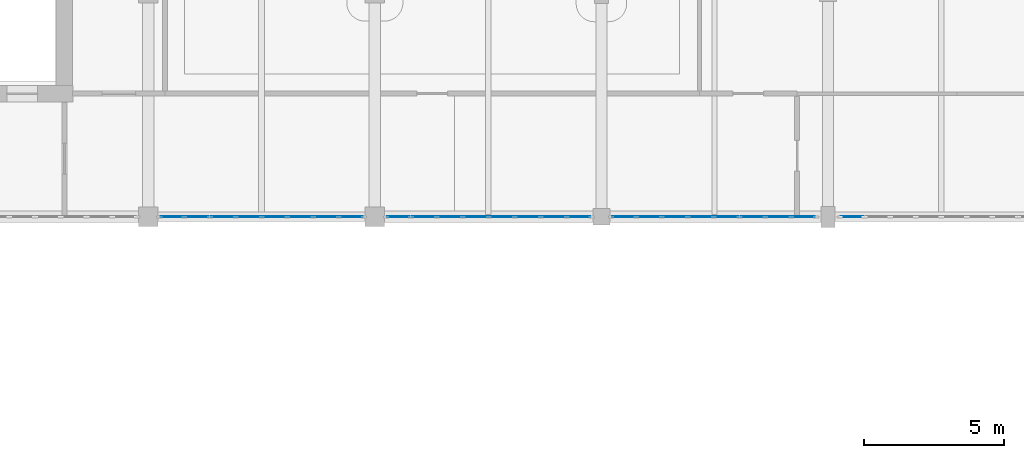
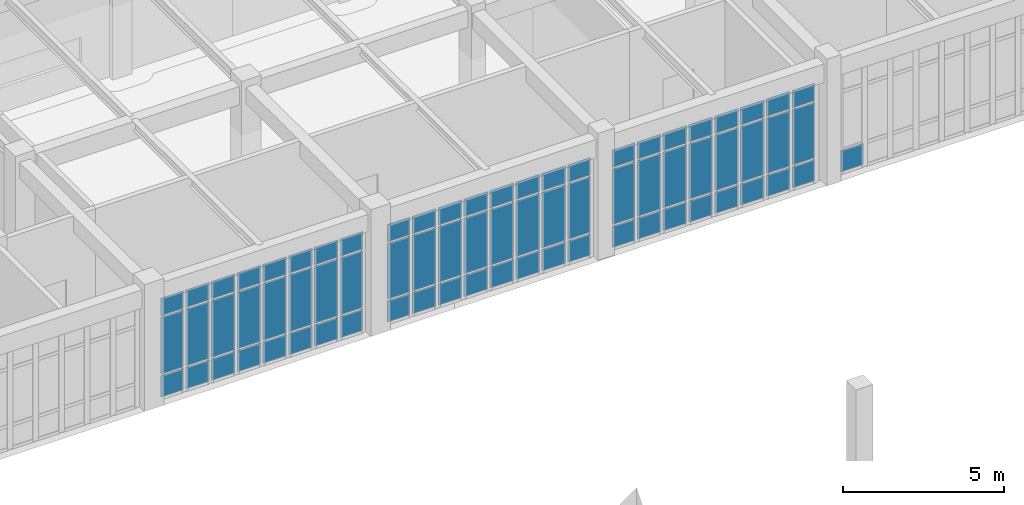
# One storey, part 38 of 61: 73 plates, 4 elements without a shape of their own.
"""IFC4 building model written with IfcOpenShell, lengths in metres."""

from ifc_helpers import new_model, si_unit, direction, frame, origin, origin_2d, place, context, subcontext, project, spatial, rectangle, extrude, material, layer, layer_set, type_object, element, aggregate, save


model = new_model("IFC4")

# Units and contexts
model_context = context("Model", 3, precision=1e-05, world=origin(), true_north=direction((0.0, 1.0)))
body_context = subcontext(model_context, "Body", "Model", "MODEL_VIEW")
ifc_project = project(units=[si_unit("LENGTHUNIT", "METRE"), si_unit("AREAUNIT", "SQUARE_METRE"), si_unit("VOLUMEUNIT", "CUBIC_METRE"), si_unit("PLANEANGLEUNIT", "RADIAN"), si_unit("MASSUNIT", "GRAM", prefix="KILO")], contexts=[model_context])

# Site, building, storey
site_placement = place(None, origin())
site = spatial("IfcSite", under=ifc_project, at=site_placement, CompositionType="ELEMENT")
building_placement = place(site_placement, origin())
building = spatial("IfcBuilding", under=site, at=building_placement, Name="Tarnveldt Square Police Headquarters", CompositionType="ELEMENT")
storey_placement = place(building_placement, frame((0.0, 0.0, 5.39990234375)))
storey = spatial("IfcBuildingStorey", under=building, at=storey_placement, Name="L01", CompositionType="ELEMENT", Elevation=5.39990234375)

# Curtain wall, plates
ifc_material = material(Name="Triple-glazed low-e laminated vision glass", Category="glass")
curtain_wall_type_1 = type_object("IfcCurtainWallType", Name="CW-LB-737x386", PredefinedType="USERDEFINED", material=ifc_material)
curtain_wall_1_placement = place(storey_placement, origin())
curtain_wall_1 = element("IfcCurtainWall", 1, at=curtain_wall_1_placement, inside=storey, type_object=curtain_wall_type_1, Name="L01 Curtain Wall CW-L01-107", ObjectType="GLAZED CURTAIN WALL", PredefinedType="USERDEFINED")
ifc_layer = layer(ifc_material, 0.028076171875)
ifc_layer_set = layer_set([ifc_layer], Name="Triple-glazed low-e laminated vision glass")
plate_type = type_object("IfcPlateType", Name="CWP-VIS-28", PredefinedType="CURTAIN_PANEL", material=ifc_layer_set)
plate_1_placement = place(storey_placement, frame((65.644287109375, 96.0, 0.06494140625), z_axis=(0.0, 0.0, 1.0), x_axis=(1.0, 0.0, 0.0)))
plate_1 = element("IfcPlate", 2, at=plate_1_placement, type_object=plate_type, Name="CW-LB61 panel 1.1", PredefinedType="CURTAIN_PANEL", context=body_context, shape_type="SweptSolid", body=[
    extrude(rectangle(XDim=0.808837890625, YDim=0.028076171875, at=origin_2d()), origin(), (0.0, 0.0, 1.0), 0.802490234375),
])
plate_2_placement = place(storey_placement, frame((65.644287109375, 96.0, 0.9326171875), z_axis=(0.0, 0.0, 1.0), x_axis=(1.0, 0.0, 0.0)))
plate_2 = element("IfcPlate", 3, at=plate_2_placement, type_object=plate_type, Name="CW-LB61 panel 1.2", PredefinedType="CURTAIN_PANEL", context=body_context, shape_type="SweptSolid", body=[
    extrude(rectangle(XDim=0.808837890625, YDim=0.028076171875, at=origin_2d()), origin(), (0.0, 0.0, 1.0), 2.14697265625),
])
plate_3_placement = place(storey_placement, frame((65.644287109375, 96.0, 3.14453125), z_axis=(0.0, 0.0, 1.0), x_axis=(1.0, 0.0, 0.0)))
plate_3 = element("IfcPlate", 4, at=plate_3_placement, type_object=plate_type, Name="CW-LB61 panel 1.3", PredefinedType="CURTAIN_PANEL", context=body_context, shape_type="SweptSolid", body=[
    extrude(rectangle(XDim=0.808837890625, YDim=0.028076171875, at=origin_2d()), origin(), (0.0, 0.0, 1.0), 0.652587890625),
])
plate_4_placement = place(storey_placement, frame((66.546875, 96.0, 0.06494140625), z_axis=(0.0, 0.0, 1.0), x_axis=(1.0, 0.0, 0.0)))
plate_4 = element("IfcPlate", 5, at=plate_4_placement, type_object=plate_type, Name="CW-LB61 panel 2.1", PredefinedType="CURTAIN_PANEL", context=body_context, shape_type="SweptSolid", body=[
    extrude(rectangle(XDim=0.84619140625, YDim=0.028076171875, at=origin_2d()), origin(), (0.0, 0.0, 1.0), 0.802490234375),
])
plate_5_placement = place(storey_placement, frame((66.546875, 96.0, 0.9326171875), z_axis=(0.0, 0.0, 1.0), x_axis=(1.0, 0.0, 0.0)))
plate_5 = element("IfcPlate", 6, at=plate_5_placement, type_object=plate_type, Name="CW-LB61 panel 2.2", PredefinedType="CURTAIN_PANEL", context=body_context, shape_type="SweptSolid", body=[
    extrude(rectangle(XDim=0.84619140625, YDim=0.028076171875, at=origin_2d()), origin(), (0.0, 0.0, 1.0), 2.14697265625),
])
plate_6_placement = place(storey_placement, frame((66.546875, 96.0, 3.14453125), z_axis=(0.0, 0.0, 1.0), x_axis=(1.0, 0.0, 0.0)))
plate_6 = element("IfcPlate", 7, at=plate_6_placement, type_object=plate_type, Name="CW-LB61 panel 2.3", PredefinedType="CURTAIN_PANEL", context=body_context, shape_type="SweptSolid", body=[
    extrude(rectangle(XDim=0.84619140625, YDim=0.028076171875, at=origin_2d()), origin(), (0.0, 0.0, 1.0), 0.652587890625),
])
plate_7_placement = place(storey_placement, frame((67.468017578125, 96.0, 0.06494140625), z_axis=(0.0, 0.0, 1.0), x_axis=(1.0, 0.0, 0.0)))
plate_7 = element("IfcPlate", 8, at=plate_7_placement, type_object=plate_type, Name="CW-LB61 panel 3.1", PredefinedType="CURTAIN_PANEL", context=body_context, shape_type="SweptSolid", body=[
    extrude(rectangle(XDim=0.84619140625, YDim=0.028076171875, at=origin_2d()), origin(), (0.0, 0.0, 1.0), 0.802490234375),
])
plate_8_placement = place(storey_placement, frame((67.468017578125, 96.0, 0.9326171875), z_axis=(0.0, 0.0, 1.0), x_axis=(1.0, 0.0, 0.0)))
plate_8 = element("IfcPlate", 9, at=plate_8_placement, type_object=plate_type, Name="CW-LB61 panel 3.2", PredefinedType="CURTAIN_PANEL", context=body_context, shape_type="SweptSolid", body=[
    extrude(rectangle(XDim=0.84619140625, YDim=0.028076171875, at=origin_2d()), origin(), (0.0, 0.0, 1.0), 2.14697265625),
])
plate_9_placement = place(storey_placement, frame((67.468017578125, 96.0, 3.14453125), z_axis=(0.0, 0.0, 1.0), x_axis=(1.0, 0.0, 0.0)))
plate_9 = element("IfcPlate", 10, at=plate_9_placement, type_object=plate_type, Name="CW-LB61 panel 3.3", PredefinedType="CURTAIN_PANEL", context=body_context, shape_type="SweptSolid", body=[
    extrude(rectangle(XDim=0.84619140625, YDim=0.028076171875, at=origin_2d()), origin(), (0.0, 0.0, 1.0), 0.652587890625),
])
plate_10_placement = place(storey_placement, frame((68.389404296875, 96.0, 0.06494140625), z_axis=(0.0, 0.0, 1.0), x_axis=(1.0, 0.0, 0.0)))
plate_10 = element("IfcPlate", 11, at=plate_10_placement, type_object=plate_type, Name="CW-LB61 panel 4.1", PredefinedType="CURTAIN_PANEL", context=body_context, shape_type="SweptSolid", body=[
    extrude(rectangle(XDim=0.84619140625, YDim=0.028076171875, at=origin_2d()), origin(), (0.0, 0.0, 1.0), 0.802490234375),
])
plate_11_placement = place(storey_placement, frame((68.389404296875, 96.0, 0.9326171875), z_axis=(0.0, 0.0, 1.0), x_axis=(1.0, 0.0, 0.0)))
plate_11 = element("IfcPlate", 12, at=plate_11_placement, type_object=plate_type, Name="CW-LB61 panel 4.2", PredefinedType="CURTAIN_PANEL", context=body_context, shape_type="SweptSolid", body=[
    extrude(rectangle(XDim=0.84619140625, YDim=0.028076171875, at=origin_2d()), origin(), (0.0, 0.0, 1.0), 2.14697265625),
])
plate_12_placement = place(storey_placement, frame((68.389404296875, 96.0, 3.14453125), z_axis=(0.0, 0.0, 1.0), x_axis=(1.0, 0.0, 0.0)))
plate_12 = element("IfcPlate", 13, at=plate_12_placement, type_object=plate_type, Name="CW-LB61 panel 4.3", PredefinedType="CURTAIN_PANEL", context=body_context, shape_type="SweptSolid", body=[
    extrude(rectangle(XDim=0.84619140625, YDim=0.028076171875, at=origin_2d()), origin(), (0.0, 0.0, 1.0), 0.652587890625),
])
plate_13_placement = place(storey_placement, frame((69.310546875, 96.0, 0.06494140625), z_axis=(0.0, 0.0, 1.0), x_axis=(1.0, 0.0, 0.0)))
plate_13 = element("IfcPlate", 14, at=plate_13_placement, type_object=plate_type, Name="CW-LB61 panel 5.1", PredefinedType="CURTAIN_PANEL", context=body_context, shape_type="SweptSolid", body=[
    extrude(rectangle(XDim=0.84619140625, YDim=0.028076171875, at=origin_2d()), origin(), (0.0, 0.0, 1.0), 0.802490234375),
])
plate_14_placement = place(storey_placement, frame((69.310546875, 96.0, 0.9326171875), z_axis=(0.0, 0.0, 1.0), x_axis=(1.0, 0.0, 0.0)))
plate_14 = element("IfcPlate", 15, at=plate_14_placement, type_object=plate_type, Name="CW-LB61 panel 5.2", PredefinedType="CURTAIN_PANEL", context=body_context, shape_type="SweptSolid", body=[
    extrude(rectangle(XDim=0.84619140625, YDim=0.028076171875, at=origin_2d()), origin(), (0.0, 0.0, 1.0), 2.14697265625),
])
plate_15_placement = place(storey_placement, frame((69.310546875, 96.0, 3.14453125), z_axis=(0.0, 0.0, 1.0), x_axis=(1.0, 0.0, 0.0)))
plate_15 = element("IfcPlate", 16, at=plate_15_placement, type_object=plate_type, Name="CW-LB61 panel 5.3", PredefinedType="CURTAIN_PANEL", context=body_context, shape_type="SweptSolid", body=[
    extrude(rectangle(XDim=0.84619140625, YDim=0.028076171875, at=origin_2d()), origin(), (0.0, 0.0, 1.0), 0.652587890625),
])
plate_16_placement = place(storey_placement, frame((70.23193359375, 96.0, 0.06494140625), z_axis=(0.0, 0.0, 1.0), x_axis=(1.0, 0.0, 0.0)))
plate_16 = element("IfcPlate", 17, at=plate_16_placement, type_object=plate_type, Name="CW-LB61 panel 6.1", PredefinedType="CURTAIN_PANEL", context=body_context, shape_type="SweptSolid", body=[
    extrude(rectangle(XDim=0.84619140625, YDim=0.028076171875, at=origin_2d()), origin(), (0.0, 0.0, 1.0), 0.802490234375),
])
plate_17_placement = place(storey_placement, frame((70.23193359375, 96.0, 0.9326171875), z_axis=(0.0, 0.0, 1.0), x_axis=(1.0, 0.0, 0.0)))
plate_17 = element("IfcPlate", 18, at=plate_17_placement, type_object=plate_type, Name="CW-LB61 panel 6.2", PredefinedType="CURTAIN_PANEL", context=body_context, shape_type="SweptSolid", body=[
    extrude(rectangle(XDim=0.84619140625, YDim=0.028076171875, at=origin_2d()), origin(), (0.0, 0.0, 1.0), 2.14697265625),
])
plate_18_placement = place(storey_placement, frame((70.23193359375, 96.0, 3.14453125), z_axis=(0.0, 0.0, 1.0), x_axis=(1.0, 0.0, 0.0)))
plate_18 = element("IfcPlate", 19, at=plate_18_placement, type_object=plate_type, Name="CW-LB61 panel 6.3", PredefinedType="CURTAIN_PANEL", context=body_context, shape_type="SweptSolid", body=[
    extrude(rectangle(XDim=0.84619140625, YDim=0.028076171875, at=origin_2d()), origin(), (0.0, 0.0, 1.0), 0.652587890625),
])
plate_19_placement = place(storey_placement, frame((71.153076171875, 96.0, 0.06494140625), z_axis=(0.0, 0.0, 1.0), x_axis=(1.0, 0.0, 0.0)))
plate_19 = element("IfcPlate", 20, at=plate_19_placement, type_object=plate_type, Name="CW-LB61 panel 7.1", PredefinedType="CURTAIN_PANEL", context=body_context, shape_type="SweptSolid", body=[
    extrude(rectangle(XDim=0.84619140625, YDim=0.028076171875, at=origin_2d()), origin(), (0.0, 0.0, 1.0), 0.802490234375),
])
plate_20_placement = place(storey_placement, frame((71.153076171875, 96.0, 0.9326171875), z_axis=(0.0, 0.0, 1.0), x_axis=(1.0, 0.0, 0.0)))
plate_20 = element("IfcPlate", 21, at=plate_20_placement, type_object=plate_type, Name="CW-LB61 panel 7.2", PredefinedType="CURTAIN_PANEL", context=body_context, shape_type="SweptSolid", body=[
    extrude(rectangle(XDim=0.84619140625, YDim=0.028076171875, at=origin_2d()), origin(), (0.0, 0.0, 1.0), 2.14697265625),
])
plate_21_placement = place(storey_placement, frame((71.153076171875, 96.0, 3.14453125), z_axis=(0.0, 0.0, 1.0), x_axis=(1.0, 0.0, 0.0)))
plate_21 = element("IfcPlate", 22, at=plate_21_placement, type_object=plate_type, Name="CW-LB61 panel 7.3", PredefinedType="CURTAIN_PANEL", context=body_context, shape_type="SweptSolid", body=[
    extrude(rectangle(XDim=0.84619140625, YDim=0.028076171875, at=origin_2d()), origin(), (0.0, 0.0, 1.0), 0.652587890625),
])
plate_22_placement = place(storey_placement, frame((72.0556640625, 96.0, 0.06494140625), z_axis=(0.0, 0.0, 1.0), x_axis=(1.0, 0.0, 0.0)))
plate_22 = element("IfcPlate", 23, at=plate_22_placement, type_object=plate_type, Name="CW-LB61 panel 8.1", PredefinedType="CURTAIN_PANEL", context=body_context, shape_type="SweptSolid", body=[
    extrude(rectangle(XDim=0.808837890625, YDim=0.028076171875, at=origin_2d()), origin(), (0.0, 0.0, 1.0), 0.802490234375),
])
plate_23_placement = place(storey_placement, frame((72.0556640625, 96.0, 0.9326171875), z_axis=(0.0, 0.0, 1.0), x_axis=(1.0, 0.0, 0.0)))
plate_23 = element("IfcPlate", 24, at=plate_23_placement, type_object=plate_type, Name="CW-LB61 panel 8.2", PredefinedType="CURTAIN_PANEL", context=body_context, shape_type="SweptSolid", body=[
    extrude(rectangle(XDim=0.808837890625, YDim=0.028076171875, at=origin_2d()), origin(), (0.0, 0.0, 1.0), 2.14697265625),
])
plate_24_placement = place(storey_placement, frame((72.0556640625, 96.0, 3.14453125), z_axis=(0.0, 0.0, 1.0), x_axis=(1.0, 0.0, 0.0)))
plate_24 = element("IfcPlate", 25, at=plate_24_placement, type_object=plate_type, Name="CW-LB61 panel 8.3", PredefinedType="CURTAIN_PANEL", context=body_context, shape_type="SweptSolid", body=[
    extrude(rectangle(XDim=0.808837890625, YDim=0.028076171875, at=origin_2d()), origin(), (0.0, 0.0, 1.0), 0.652587890625),
])
aggregate(curtain_wall_1, [plate_1, plate_2, plate_3, plate_4, plate_5, plate_6, plate_7, plate_8, plate_9, plate_10, plate_11, plate_12, plate_13, plate_14, plate_15, plate_16, plate_17, plate_18, plate_19, plate_20, plate_21, plate_22, plate_23, plate_24])

curtain_wall_type_2 = type_object("IfcCurtainWallType", Name="CW-LB-742x381", PredefinedType="USERDEFINED", material=ifc_material)
curtain_wall_2_placement = place(storey_placement, origin())
curtain_wall_2 = element("IfcCurtainWall", 26, at=curtain_wall_2_placement, inside=storey, type_object=curtain_wall_type_2, Name="L01 Curtain Wall CW-L01-108", ObjectType="GLAZED CURTAIN WALL", PredefinedType="USERDEFINED")
plate_25_placement = place(storey_placement, frame((73.74755859375, 96.0, 0.06494140625), z_axis=(0.0, 0.0, 1.0), x_axis=(1.0, 0.0, 0.0)))
plate_25 = element("IfcPlate", 27, at=plate_25_placement, type_object=plate_type, Name="CW-LB62 panel 1.1", PredefinedType="CURTAIN_PANEL", context=body_context, shape_type="SweptSolid", body=[
    extrude(rectangle(XDim=0.81494140625, YDim=0.028076171875, at=origin_2d()), origin(), (0.0, 0.0, 1.0), 0.802490234375),
])
plate_26_placement = place(storey_placement, frame((73.74755859375, 96.0, 0.9326171875), z_axis=(0.0, 0.0, 1.0), x_axis=(1.0, 0.0, 0.0)))
plate_26 = element("IfcPlate", 28, at=plate_26_placement, type_object=plate_type, Name="CW-LB62 panel 1.2", PredefinedType="CURTAIN_PANEL", context=body_context, shape_type="SweptSolid", body=[
    extrude(rectangle(XDim=0.81494140625, YDim=0.028076171875, at=origin_2d()), origin(), (0.0, 0.0, 1.0), 2.096923828125),
])
plate_27_placement = place(storey_placement, frame((73.74755859375, 96.0, 3.0947265625), z_axis=(0.0, 0.0, 1.0), x_axis=(1.0, 0.0, 0.0)))
plate_27 = element("IfcPlate", 29, at=plate_27_placement, type_object=plate_type, Name="CW-LB62 panel 1.3", PredefinedType="CURTAIN_PANEL", context=body_context, shape_type="SweptSolid", body=[
    extrude(rectangle(XDim=0.81494140625, YDim=0.028076171875, at=origin_2d()), origin(), (0.0, 0.0, 1.0), 0.652587890625),
])
plate_28_placement = place(storey_placement, frame((74.65625, 96.0, 0.06494140625), z_axis=(0.0, 0.0, 1.0), x_axis=(1.0, 0.0, 0.0)))
plate_28 = element("IfcPlate", 30, at=plate_28_placement, type_object=plate_type, Name="CW-LB62 panel 2.1", PredefinedType="CURTAIN_PANEL", context=body_context, shape_type="SweptSolid", body=[
    extrude(rectangle(XDim=0.8525390625, YDim=0.028076171875, at=origin_2d()), origin(), (0.0, 0.0, 1.0), 0.802490234375),
])
plate_29_placement = place(storey_placement, frame((74.65625, 96.0, 0.9326171875), z_axis=(0.0, 0.0, 1.0), x_axis=(1.0, 0.0, 0.0)))
plate_29 = element("IfcPlate", 31, at=plate_29_placement, type_object=plate_type, Name="CW-LB62 panel 2.2", PredefinedType="CURTAIN_PANEL", context=body_context, shape_type="SweptSolid", body=[
    extrude(rectangle(XDim=0.8525390625, YDim=0.028076171875, at=origin_2d()), origin(), (0.0, 0.0, 1.0), 2.096923828125),
])
plate_30_placement = place(storey_placement, frame((74.65625, 96.0, 3.0947265625), z_axis=(0.0, 0.0, 1.0), x_axis=(1.0, 0.0, 0.0)))
plate_30 = element("IfcPlate", 32, at=plate_30_placement, type_object=plate_type, Name="CW-LB62 panel 2.3", PredefinedType="CURTAIN_PANEL", context=body_context, shape_type="SweptSolid", body=[
    extrude(rectangle(XDim=0.8525390625, YDim=0.028076171875, at=origin_2d()), origin(), (0.0, 0.0, 1.0), 0.652587890625),
])
plate_31_placement = place(storey_placement, frame((75.583740234375, 96.0, 0.06494140625), z_axis=(0.0, 0.0, 1.0), x_axis=(1.0, 0.0, 0.0)))
plate_31 = element("IfcPlate", 33, at=plate_31_placement, type_object=plate_type, Name="CW-LB62 panel 3.1", PredefinedType="CURTAIN_PANEL", context=body_context, shape_type="SweptSolid", body=[
    extrude(rectangle(XDim=0.8525390625, YDim=0.028076171875, at=origin_2d()), origin(), (0.0, 0.0, 1.0), 0.802490234375),
])
plate_32_placement = place(storey_placement, frame((75.583740234375, 96.0, 0.9326171875), z_axis=(0.0, 0.0, 1.0), x_axis=(1.0, 0.0, 0.0)))
plate_32 = element("IfcPlate", 34, at=plate_32_placement, type_object=plate_type, Name="CW-LB62 panel 3.2", PredefinedType="CURTAIN_PANEL", context=body_context, shape_type="SweptSolid", body=[
    extrude(rectangle(XDim=0.8525390625, YDim=0.028076171875, at=origin_2d()), origin(), (0.0, 0.0, 1.0), 2.096923828125),
])
plate_33_placement = place(storey_placement, frame((75.583740234375, 96.0, 3.0947265625), z_axis=(0.0, 0.0, 1.0), x_axis=(1.0, 0.0, 0.0)))
plate_33 = element("IfcPlate", 35, at=plate_33_placement, type_object=plate_type, Name="CW-LB62 panel 3.3", PredefinedType="CURTAIN_PANEL", context=body_context, shape_type="SweptSolid", body=[
    extrude(rectangle(XDim=0.8525390625, YDim=0.028076171875, at=origin_2d()), origin(), (0.0, 0.0, 1.0), 0.652587890625),
])
plate_34_placement = place(storey_placement, frame((76.51123046875, 96.0, 0.06494140625), z_axis=(0.0, 0.0, 1.0), x_axis=(1.0, 0.0, 0.0)))
plate_34 = element("IfcPlate", 36, at=plate_34_placement, type_object=plate_type, Name="CW-LB62 panel 4.1", PredefinedType="CURTAIN_PANEL", context=body_context, shape_type="SweptSolid", body=[
    extrude(rectangle(XDim=0.8525390625, YDim=0.028076171875, at=origin_2d()), origin(), (0.0, 0.0, 1.0), 0.802490234375),
])
plate_35_placement = place(storey_placement, frame((76.51123046875, 96.0, 0.9326171875), z_axis=(0.0, 0.0, 1.0), x_axis=(1.0, 0.0, 0.0)))
plate_35 = element("IfcPlate", 37, at=plate_35_placement, type_object=plate_type, Name="CW-LB62 panel 4.2", PredefinedType="CURTAIN_PANEL", context=body_context, shape_type="SweptSolid", body=[
    extrude(rectangle(XDim=0.8525390625, YDim=0.028076171875, at=origin_2d()), origin(), (0.0, 0.0, 1.0), 2.096923828125),
])
plate_36_placement = place(storey_placement, frame((76.51123046875, 96.0, 3.0947265625), z_axis=(0.0, 0.0, 1.0), x_axis=(1.0, 0.0, 0.0)))
plate_36 = element("IfcPlate", 38, at=plate_36_placement, type_object=plate_type, Name="CW-LB62 panel 4.3", PredefinedType="CURTAIN_PANEL", context=body_context, shape_type="SweptSolid", body=[
    extrude(rectangle(XDim=0.8525390625, YDim=0.028076171875, at=origin_2d()), origin(), (0.0, 0.0, 1.0), 0.652587890625),
])
plate_37_placement = place(storey_placement, frame((77.438720703125, 96.0, 0.06494140625), z_axis=(0.0, 0.0, 1.0), x_axis=(1.0, 0.0, 0.0)))
plate_37 = element("IfcPlate", 39, at=plate_37_placement, type_object=plate_type, Name="CW-LB62 panel 5.1", PredefinedType="CURTAIN_PANEL", context=body_context, shape_type="SweptSolid", body=[
    extrude(rectangle(XDim=0.8525390625, YDim=0.028076171875, at=origin_2d()), origin(), (0.0, 0.0, 1.0), 0.802490234375),
])
plate_38_placement = place(storey_placement, frame((77.438720703125, 96.0, 0.9326171875), z_axis=(0.0, 0.0, 1.0), x_axis=(1.0, 0.0, 0.0)))
plate_38 = element("IfcPlate", 40, at=plate_38_placement, type_object=plate_type, Name="CW-LB62 panel 5.2", PredefinedType="CURTAIN_PANEL", context=body_context, shape_type="SweptSolid", body=[
    extrude(rectangle(XDim=0.8525390625, YDim=0.028076171875, at=origin_2d()), origin(), (0.0, 0.0, 1.0), 2.096923828125),
])
plate_39_placement = place(storey_placement, frame((77.438720703125, 96.0, 3.0947265625), z_axis=(0.0, 0.0, 1.0), x_axis=(1.0, 0.0, 0.0)))
plate_39 = element("IfcPlate", 41, at=plate_39_placement, type_object=plate_type, Name="CW-LB62 panel 5.3", PredefinedType="CURTAIN_PANEL", context=body_context, shape_type="SweptSolid", body=[
    extrude(rectangle(XDim=0.8525390625, YDim=0.028076171875, at=origin_2d()), origin(), (0.0, 0.0, 1.0), 0.652587890625),
])
plate_40_placement = place(storey_placement, frame((78.3662109375, 96.0, 0.06494140625), z_axis=(0.0, 0.0, 1.0), x_axis=(1.0, 0.0, 0.0)))
plate_40 = element("IfcPlate", 42, at=plate_40_placement, type_object=plate_type, Name="CW-LB62 panel 6.1", PredefinedType="CURTAIN_PANEL", context=body_context, shape_type="SweptSolid", body=[
    extrude(rectangle(XDim=0.8525390625, YDim=0.028076171875, at=origin_2d()), origin(), (0.0, 0.0, 1.0), 0.802490234375),
])
plate_41_placement = place(storey_placement, frame((78.3662109375, 96.0, 0.9326171875), z_axis=(0.0, 0.0, 1.0), x_axis=(1.0, 0.0, 0.0)))
plate_41 = element("IfcPlate", 43, at=plate_41_placement, type_object=plate_type, Name="CW-LB62 panel 6.2", PredefinedType="CURTAIN_PANEL", context=body_context, shape_type="SweptSolid", body=[
    extrude(rectangle(XDim=0.8525390625, YDim=0.028076171875, at=origin_2d()), origin(), (0.0, 0.0, 1.0), 2.096923828125),
])
plate_42_placement = place(storey_placement, frame((78.3662109375, 96.0, 3.0947265625), z_axis=(0.0, 0.0, 1.0), x_axis=(1.0, 0.0, 0.0)))
plate_42 = element("IfcPlate", 44, at=plate_42_placement, type_object=plate_type, Name="CW-LB62 panel 6.3", PredefinedType="CURTAIN_PANEL", context=body_context, shape_type="SweptSolid", body=[
    extrude(rectangle(XDim=0.8525390625, YDim=0.028076171875, at=origin_2d()), origin(), (0.0, 0.0, 1.0), 0.652587890625),
])
plate_43_placement = place(storey_placement, frame((79.293701171875, 96.0, 0.06494140625), z_axis=(0.0, 0.0, 1.0), x_axis=(1.0, 0.0, 0.0)))
plate_43 = element("IfcPlate", 45, at=plate_43_placement, type_object=plate_type, Name="CW-LB62 panel 7.1", PredefinedType="CURTAIN_PANEL", context=body_context, shape_type="SweptSolid", body=[
    extrude(rectangle(XDim=0.8525390625, YDim=0.028076171875, at=origin_2d()), origin(), (0.0, 0.0, 1.0), 0.802490234375),
])
plate_44_placement = place(storey_placement, frame((79.293701171875, 96.0, 0.9326171875), z_axis=(0.0, 0.0, 1.0), x_axis=(1.0, 0.0, 0.0)))
plate_44 = element("IfcPlate", 46, at=plate_44_placement, type_object=plate_type, Name="CW-LB62 panel 7.2", PredefinedType="CURTAIN_PANEL", context=body_context, shape_type="SweptSolid", body=[
    extrude(rectangle(XDim=0.8525390625, YDim=0.028076171875, at=origin_2d()), origin(), (0.0, 0.0, 1.0), 2.096923828125),
])
plate_45_placement = place(storey_placement, frame((79.293701171875, 96.0, 3.0947265625), z_axis=(0.0, 0.0, 1.0), x_axis=(1.0, 0.0, 0.0)))
plate_45 = element("IfcPlate", 47, at=plate_45_placement, type_object=plate_type, Name="CW-LB62 panel 7.3", PredefinedType="CURTAIN_PANEL", context=body_context, shape_type="SweptSolid", body=[
    extrude(rectangle(XDim=0.8525390625, YDim=0.028076171875, at=origin_2d()), origin(), (0.0, 0.0, 1.0), 0.652587890625),
])
plate_46_placement = place(storey_placement, frame((80.202392578125, 96.0, 0.06494140625), z_axis=(0.0, 0.0, 1.0), x_axis=(1.0, 0.0, 0.0)))
plate_46 = element("IfcPlate", 48, at=plate_46_placement, type_object=plate_type, Name="CW-LB62 panel 8.1", PredefinedType="CURTAIN_PANEL", context=body_context, shape_type="SweptSolid", body=[
    extrude(rectangle(XDim=0.81494140625, YDim=0.028076171875, at=origin_2d()), origin(), (0.0, 0.0, 1.0), 0.802490234375),
])
plate_47_placement = place(storey_placement, frame((80.202392578125, 96.0, 0.9326171875), z_axis=(0.0, 0.0, 1.0), x_axis=(1.0, 0.0, 0.0)))
plate_47 = element("IfcPlate", 49, at=plate_47_placement, type_object=plate_type, Name="CW-LB62 panel 8.2", PredefinedType="CURTAIN_PANEL", context=body_context, shape_type="SweptSolid", body=[
    extrude(rectangle(XDim=0.81494140625, YDim=0.028076171875, at=origin_2d()), origin(), (0.0, 0.0, 1.0), 2.096923828125),
])
plate_48_placement = place(storey_placement, frame((80.202392578125, 96.0, 3.0947265625), z_axis=(0.0, 0.0, 1.0), x_axis=(1.0, 0.0, 0.0)))
plate_48 = element("IfcPlate", 50, at=plate_48_placement, type_object=plate_type, Name="CW-LB62 panel 8.3", PredefinedType="CURTAIN_PANEL", context=body_context, shape_type="SweptSolid", body=[
    extrude(rectangle(XDim=0.81494140625, YDim=0.028076171875, at=origin_2d()), origin(), (0.0, 0.0, 1.0), 0.652587890625),
])
aggregate(curtain_wall_2, [plate_25, plate_26, plate_27, plate_28, plate_29, plate_30, plate_31, plate_32, plate_33, plate_34, plate_35, plate_36, plate_37, plate_38, plate_39, plate_40, plate_41, plate_42, plate_43, plate_44, plate_45, plate_46, plate_47, plate_48])

curtain_wall_type_3 = type_object("IfcCurtainWallType", Name="CW-LB-739x381", PredefinedType="USERDEFINED", material=ifc_material)
curtain_wall_3_placement = place(storey_placement, origin())
curtain_wall_3 = element("IfcCurtainWall", 51, at=curtain_wall_3_placement, inside=storey, type_object=curtain_wall_type_3, Name="L01 Curtain Wall CW-L01-109", ObjectType="GLAZED CURTAIN WALL", PredefinedType="USERDEFINED")
plate_49_placement = place(storey_placement, frame((81.7958984375, 96.0, 0.06494140625), z_axis=(0.0, 0.0, 1.0), x_axis=(1.0, 0.0, 0.0)))
plate_49 = element("IfcPlate", 52, at=plate_49_placement, type_object=plate_type, Name="CW-LB63 panel 1.1", PredefinedType="CURTAIN_PANEL", context=body_context, shape_type="SweptSolid", body=[
    extrude(rectangle(XDim=0.811767578125, YDim=0.028076171875, at=origin_2d()), origin(), (0.0, 0.0, 1.0), 0.802490234375),
])
plate_50_placement = place(storey_placement, frame((81.7958984375, 96.0, 0.9326171875), z_axis=(0.0, 0.0, 1.0), x_axis=(1.0, 0.0, 0.0)))
plate_50 = element("IfcPlate", 53, at=plate_50_placement, type_object=plate_type, Name="CW-LB63 panel 1.2", PredefinedType="CURTAIN_PANEL", context=body_context, shape_type="SweptSolid", body=[
    extrude(rectangle(XDim=0.811767578125, YDim=0.028076171875, at=origin_2d()), origin(), (0.0, 0.0, 1.0), 2.096923828125),
])
plate_51_placement = place(storey_placement, frame((81.7958984375, 96.0, 3.0947265625), z_axis=(0.0, 0.0, 1.0), x_axis=(1.0, 0.0, 0.0)))
plate_51 = element("IfcPlate", 54, at=plate_51_placement, type_object=plate_type, Name="CW-LB63 panel 1.3", PredefinedType="CURTAIN_PANEL", context=body_context, shape_type="SweptSolid", body=[
    extrude(rectangle(XDim=0.811767578125, YDim=0.028076171875, at=origin_2d()), origin(), (0.0, 0.0, 1.0), 0.652587890625),
])
plate_52_placement = place(storey_placement, frame((82.70166015625, 96.0, 0.06494140625), z_axis=(0.0, 0.0, 1.0), x_axis=(1.0, 0.0, 0.0)))
plate_52 = element("IfcPlate", 55, at=plate_52_placement, type_object=plate_type, Name="CW-LB63 panel 2.1", PredefinedType="CURTAIN_PANEL", context=body_context, shape_type="SweptSolid", body=[
    extrude(rectangle(XDim=0.849365234375, YDim=0.028076171875, at=origin_2d()), origin(), (0.0, 0.0, 1.0), 0.802490234375),
])
plate_53_placement = place(storey_placement, frame((82.70166015625, 96.0, 0.9326171875), z_axis=(0.0, 0.0, 1.0), x_axis=(1.0, 0.0, 0.0)))
plate_53 = element("IfcPlate", 56, at=plate_53_placement, type_object=plate_type, Name="CW-LB63 panel 2.2", PredefinedType="CURTAIN_PANEL", context=body_context, shape_type="SweptSolid", body=[
    extrude(rectangle(XDim=0.849365234375, YDim=0.028076171875, at=origin_2d()), origin(), (0.0, 0.0, 1.0), 2.096923828125),
])
plate_54_placement = place(storey_placement, frame((82.70166015625, 96.0, 3.0947265625), z_axis=(0.0, 0.0, 1.0), x_axis=(1.0, 0.0, 0.0)))
plate_54 = element("IfcPlate", 57, at=plate_54_placement, type_object=plate_type, Name="CW-LB63 panel 2.3", PredefinedType="CURTAIN_PANEL", context=body_context, shape_type="SweptSolid", body=[
    extrude(rectangle(XDim=0.849365234375, YDim=0.028076171875, at=origin_2d()), origin(), (0.0, 0.0, 1.0), 0.652587890625),
])
plate_55_placement = place(storey_placement, frame((83.6259765625, 96.0, 0.06494140625), z_axis=(0.0, 0.0, 1.0), x_axis=(1.0, 0.0, 0.0)))
plate_55 = element("IfcPlate", 58, at=plate_55_placement, type_object=plate_type, Name="CW-LB63 panel 3.1", PredefinedType="CURTAIN_PANEL", context=body_context, shape_type="SweptSolid", body=[
    extrude(rectangle(XDim=0.849365234375, YDim=0.028076171875, at=origin_2d()), origin(), (0.0, 0.0, 1.0), 0.802490234375),
])
plate_56_placement = place(storey_placement, frame((83.6259765625, 96.0, 0.9326171875), z_axis=(0.0, 0.0, 1.0), x_axis=(1.0, 0.0, 0.0)))
plate_56 = element("IfcPlate", 59, at=plate_56_placement, type_object=plate_type, Name="CW-LB63 panel 3.2", PredefinedType="CURTAIN_PANEL", context=body_context, shape_type="SweptSolid", body=[
    extrude(rectangle(XDim=0.849365234375, YDim=0.028076171875, at=origin_2d()), origin(), (0.0, 0.0, 1.0), 2.096923828125),
])
plate_57_placement = place(storey_placement, frame((83.6259765625, 96.0, 3.0947265625), z_axis=(0.0, 0.0, 1.0), x_axis=(1.0, 0.0, 0.0)))
plate_57 = element("IfcPlate", 60, at=plate_57_placement, type_object=plate_type, Name="CW-LB63 panel 3.3", PredefinedType="CURTAIN_PANEL", context=body_context, shape_type="SweptSolid", body=[
    extrude(rectangle(XDim=0.849365234375, YDim=0.028076171875, at=origin_2d()), origin(), (0.0, 0.0, 1.0), 0.652587890625),
])
plate_58_placement = place(storey_placement, frame((84.55029296875, 96.0, 0.06494140625), z_axis=(0.0, 0.0, 1.0), x_axis=(1.0, 0.0, 0.0)))
plate_58 = element("IfcPlate", 61, at=plate_58_placement, type_object=plate_type, Name="CW-LB63 panel 4.1", PredefinedType="CURTAIN_PANEL", context=body_context, shape_type="SweptSolid", body=[
    extrude(rectangle(XDim=0.849365234375, YDim=0.028076171875, at=origin_2d()), origin(), (0.0, 0.0, 1.0), 0.802490234375),
])
plate_59_placement = place(storey_placement, frame((84.55029296875, 96.0, 0.9326171875), z_axis=(0.0, 0.0, 1.0), x_axis=(1.0, 0.0, 0.0)))
plate_59 = element("IfcPlate", 62, at=plate_59_placement, type_object=plate_type, Name="CW-LB63 panel 4.2", PredefinedType="CURTAIN_PANEL", context=body_context, shape_type="SweptSolid", body=[
    extrude(rectangle(XDim=0.849365234375, YDim=0.028076171875, at=origin_2d()), origin(), (0.0, 0.0, 1.0), 2.096923828125),
])
plate_60_placement = place(storey_placement, frame((84.55029296875, 96.0, 3.0947265625), z_axis=(0.0, 0.0, 1.0), x_axis=(1.0, 0.0, 0.0)))
plate_60 = element("IfcPlate", 63, at=plate_60_placement, type_object=plate_type, Name="CW-LB63 panel 4.3", PredefinedType="CURTAIN_PANEL", context=body_context, shape_type="SweptSolid", body=[
    extrude(rectangle(XDim=0.849365234375, YDim=0.028076171875, at=origin_2d()), origin(), (0.0, 0.0, 1.0), 0.652587890625),
])
plate_61_placement = place(storey_placement, frame((85.474609375, 96.0, 0.06494140625), z_axis=(0.0, 0.0, 1.0), x_axis=(1.0, 0.0, 0.0)))
plate_61 = element("IfcPlate", 64, at=plate_61_placement, type_object=plate_type, Name="CW-LB63 panel 5.1", PredefinedType="CURTAIN_PANEL", context=body_context, shape_type="SweptSolid", body=[
    extrude(rectangle(XDim=0.849365234375, YDim=0.028076171875, at=origin_2d()), origin(), (0.0, 0.0, 1.0), 0.802490234375),
])
plate_62_placement = place(storey_placement, frame((85.474609375, 96.0, 0.9326171875), z_axis=(0.0, 0.0, 1.0), x_axis=(1.0, 0.0, 0.0)))
plate_62 = element("IfcPlate", 65, at=plate_62_placement, type_object=plate_type, Name="CW-LB63 panel 5.2", PredefinedType="CURTAIN_PANEL", context=body_context, shape_type="SweptSolid", body=[
    extrude(rectangle(XDim=0.849365234375, YDim=0.028076171875, at=origin_2d()), origin(), (0.0, 0.0, 1.0), 2.096923828125),
])
plate_63_placement = place(storey_placement, frame((85.474609375, 96.0, 3.0947265625), z_axis=(0.0, 0.0, 1.0), x_axis=(1.0, 0.0, 0.0)))
plate_63 = element("IfcPlate", 66, at=plate_63_placement, type_object=plate_type, Name="CW-LB63 panel 5.3", PredefinedType="CURTAIN_PANEL", context=body_context, shape_type="SweptSolid", body=[
    extrude(rectangle(XDim=0.849365234375, YDim=0.028076171875, at=origin_2d()), origin(), (0.0, 0.0, 1.0), 0.652587890625),
])
plate_64_placement = place(storey_placement, frame((86.399169921875, 96.0, 0.06494140625), z_axis=(0.0, 0.0, 1.0), x_axis=(1.0, 0.0, 0.0)))
plate_64 = element("IfcPlate", 67, at=plate_64_placement, type_object=plate_type, Name="CW-LB63 panel 6.1", PredefinedType="CURTAIN_PANEL", context=body_context, shape_type="SweptSolid", body=[
    extrude(rectangle(XDim=0.849365234375, YDim=0.028076171875, at=origin_2d()), origin(), (0.0, 0.0, 1.0), 0.802490234375),
])
plate_65_placement = place(storey_placement, frame((86.399169921875, 96.0, 0.9326171875), z_axis=(0.0, 0.0, 1.0), x_axis=(1.0, 0.0, 0.0)))
plate_65 = element("IfcPlate", 68, at=plate_65_placement, type_object=plate_type, Name="CW-LB63 panel 6.2", PredefinedType="CURTAIN_PANEL", context=body_context, shape_type="SweptSolid", body=[
    extrude(rectangle(XDim=0.849365234375, YDim=0.028076171875, at=origin_2d()), origin(), (0.0, 0.0, 1.0), 2.096923828125),
])
plate_66_placement = place(storey_placement, frame((86.399169921875, 96.0, 3.0947265625), z_axis=(0.0, 0.0, 1.0), x_axis=(1.0, 0.0, 0.0)))
plate_66 = element("IfcPlate", 69, at=plate_66_placement, type_object=plate_type, Name="CW-LB63 panel 6.3", PredefinedType="CURTAIN_PANEL", context=body_context, shape_type="SweptSolid", body=[
    extrude(rectangle(XDim=0.849365234375, YDim=0.028076171875, at=origin_2d()), origin(), (0.0, 0.0, 1.0), 0.652587890625),
])
plate_67_placement = place(storey_placement, frame((87.323486328125, 96.0, 0.06494140625), z_axis=(0.0, 0.0, 1.0), x_axis=(1.0, 0.0, 0.0)))
plate_67 = element("IfcPlate", 70, at=plate_67_placement, type_object=plate_type, Name="CW-LB63 panel 7.1", PredefinedType="CURTAIN_PANEL", context=body_context, shape_type="SweptSolid", body=[
    extrude(rectangle(XDim=0.849365234375, YDim=0.028076171875, at=origin_2d()), origin(), (0.0, 0.0, 1.0), 0.802490234375),
])
plate_68_placement = place(storey_placement, frame((87.323486328125, 96.0, 0.9326171875), z_axis=(0.0, 0.0, 1.0), x_axis=(1.0, 0.0, 0.0)))
plate_68 = element("IfcPlate", 71, at=plate_68_placement, type_object=plate_type, Name="CW-LB63 panel 7.2", PredefinedType="CURTAIN_PANEL", context=body_context, shape_type="SweptSolid", body=[
    extrude(rectangle(XDim=0.849365234375, YDim=0.028076171875, at=origin_2d()), origin(), (0.0, 0.0, 1.0), 2.096923828125),
])
plate_69_placement = place(storey_placement, frame((87.323486328125, 96.0, 3.0947265625), z_axis=(0.0, 0.0, 1.0), x_axis=(1.0, 0.0, 0.0)))
plate_69 = element("IfcPlate", 72, at=plate_69_placement, type_object=plate_type, Name="CW-LB63 panel 7.3", PredefinedType="CURTAIN_PANEL", context=body_context, shape_type="SweptSolid", body=[
    extrude(rectangle(XDim=0.849365234375, YDim=0.028076171875, at=origin_2d()), origin(), (0.0, 0.0, 1.0), 0.652587890625),
])
plate_70_placement = place(storey_placement, frame((88.22900390625, 96.0, 0.06494140625), z_axis=(0.0, 0.0, 1.0), x_axis=(1.0, 0.0, 0.0)))
plate_70 = element("IfcPlate", 73, at=plate_70_placement, type_object=plate_type, Name="CW-LB63 panel 8.1", PredefinedType="CURTAIN_PANEL", context=body_context, shape_type="SweptSolid", body=[
    extrude(rectangle(XDim=0.811767578125, YDim=0.028076171875, at=origin_2d()), origin(), (0.0, 0.0, 1.0), 0.802490234375),
])
plate_71_placement = place(storey_placement, frame((88.22900390625, 96.0, 0.9326171875), z_axis=(0.0, 0.0, 1.0), x_axis=(1.0, 0.0, 0.0)))
plate_71 = element("IfcPlate", 74, at=plate_71_placement, type_object=plate_type, Name="CW-LB63 panel 8.2", PredefinedType="CURTAIN_PANEL", context=body_context, shape_type="SweptSolid", body=[
    extrude(rectangle(XDim=0.811767578125, YDim=0.028076171875, at=origin_2d()), origin(), (0.0, 0.0, 1.0), 2.096923828125),
])
plate_72_placement = place(storey_placement, frame((88.22900390625, 96.0, 3.0947265625), z_axis=(0.0, 0.0, 1.0), x_axis=(1.0, 0.0, 0.0)))
plate_72 = element("IfcPlate", 75, at=plate_72_placement, type_object=plate_type, Name="CW-LB63 panel 8.3", PredefinedType="CURTAIN_PANEL", context=body_context, shape_type="SweptSolid", body=[
    extrude(rectangle(XDim=0.811767578125, YDim=0.028076171875, at=origin_2d()), origin(), (0.0, 0.0, 1.0), 0.652587890625),
])
aggregate(curtain_wall_3, [plate_49, plate_50, plate_51, plate_52, plate_53, plate_54, plate_55, plate_56, plate_57, plate_58, plate_59, plate_60, plate_61, plate_62, plate_63, plate_64, plate_65, plate_66, plate_67, plate_68, plate_69, plate_70, plate_71, plate_72])

# Curtain wall, plate
curtain_wall_type_4 = type_object("IfcCurtainWallType", Name="CW-LB-732x386", PredefinedType="USERDEFINED", material=ifc_material)
curtain_wall_4_placement = place(storey_placement, origin())
curtain_wall_4 = element("IfcCurtainWall", 76, at=curtain_wall_4_placement, inside=storey, type_object=curtain_wall_type_4, Name="L01 Curtain Wall CW-L01-110", ObjectType="GLAZED CURTAIN WALL", PredefinedType="USERDEFINED")
plate_73_placement = place(storey_placement, frame((89.96630859375, 96.0, 0.06494140625), z_axis=(0.0, 0.0, 1.0), x_axis=(1.0, 0.0, 0.0)))
plate_73 = element("IfcPlate", 77, at=plate_73_placement, type_object=plate_type, Name="CW-LB64 panel 1.1", PredefinedType="CURTAIN_PANEL", context=body_context, shape_type="SweptSolid", body=[
    extrude(rectangle(XDim=0.802490234375, YDim=0.028076171875, at=origin_2d()), origin(), (0.0, 0.0, 1.0), 0.802490234375),
])
aggregate(curtain_wall_4, [plate_73])

save(model, "model.ifc")
